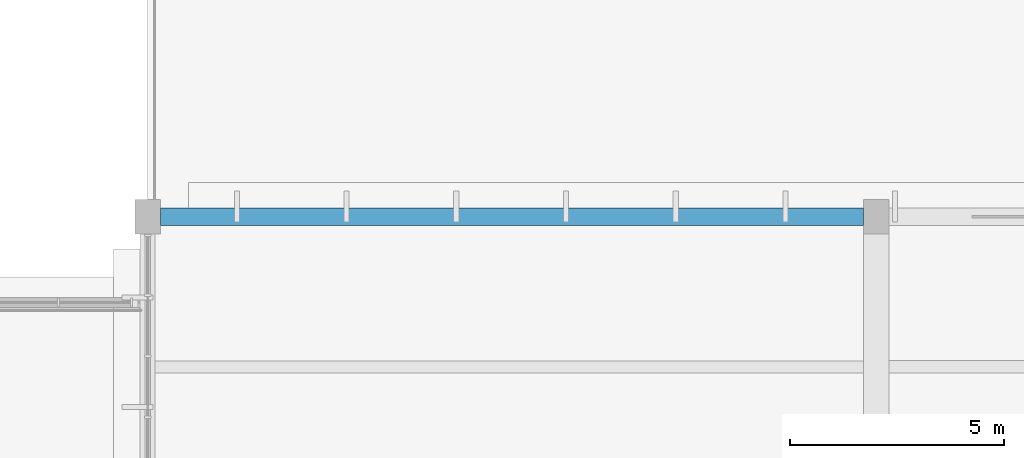
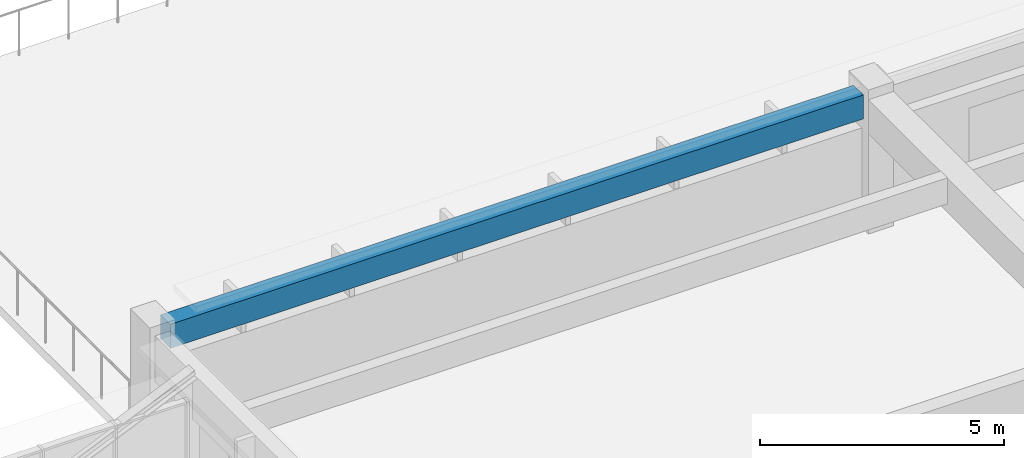
# One storey, part 29 of 77: 1 beam.
"""IFC4 building model written with IfcOpenShell, lengths in metres."""

from ifc_helpers import new_model, si_unit, direction, frame, origin, origin_2d, place, context, subcontext, project, spatial, rectangle, extrude, material, material_profile, profile_set, type_object, element, save


model = new_model("IFC4")

# Units and contexts
model_context = context("Model", 3, precision=1e-05, world=origin(), true_north=direction((0.0, 1.0)))
body_context = subcontext(model_context, "Body", "Model", "MODEL_VIEW")
ifc_project = project(units=[si_unit("LENGTHUNIT", "METRE"), si_unit("AREAUNIT", "SQUARE_METRE"), si_unit("VOLUMEUNIT", "CUBIC_METRE"), si_unit("PLANEANGLEUNIT", "RADIAN"), si_unit("MASSUNIT", "GRAM", prefix="KILO")], contexts=[model_context])

# Site, building, storey
site_placement = place(None, origin())
site = spatial("IfcSite", under=ifc_project, at=site_placement, CompositionType="ELEMENT")
building_placement = place(site_placement, origin())
building = spatial("IfcBuilding", under=site, at=building_placement, Name="Larkveld Mobility Hub", CompositionType="ELEMENT")
storey_placement = place(building_placement, frame((0.0, 0.0, 12.0)))
storey = spatial("IfcBuildingStorey", under=building, at=storey_placement, Name="L03", CompositionType="ELEMENT", Elevation=12.0)

# Beam
ifc_material = material(Name="Concrete C40/50", Category="concrete")
ifc_material_profile = material_profile(ifc_material, rectangle(XDim=0.39990234375, YDim=0.60009765625, at=origin_2d()), Name="RC BM 400x600")
ifc_profile_set = profile_set([ifc_material_profile], Name="Concrete C40/50")
beam_type = type_object("IfcBeamType", Name="BM-RC4060", PredefinedType="BEAM", material=ifc_profile_set)
beam_placement = place(storey_placement, frame((112.300048828125, 98.0, 3.06005859375), z_axis=(1.0, 0.0, 0.0), x_axis=(0.0, 1.0, 0.0)))
element("IfcBeam", 1, at=beam_placement, inside=storey, type_object=beam_type, Name="Primary E-W Girder L03-0752", PredefinedType="BEAM", context=body_context, shape_type="SweptSolid", body=[
    extrude(rectangle(XDim=0.39990234375, YDim=0.60009765625, at=origin_2d()), origin(), (0.0, 0.0, 1.0), 16.39990234375),
])

save(model, "model.ifc")
